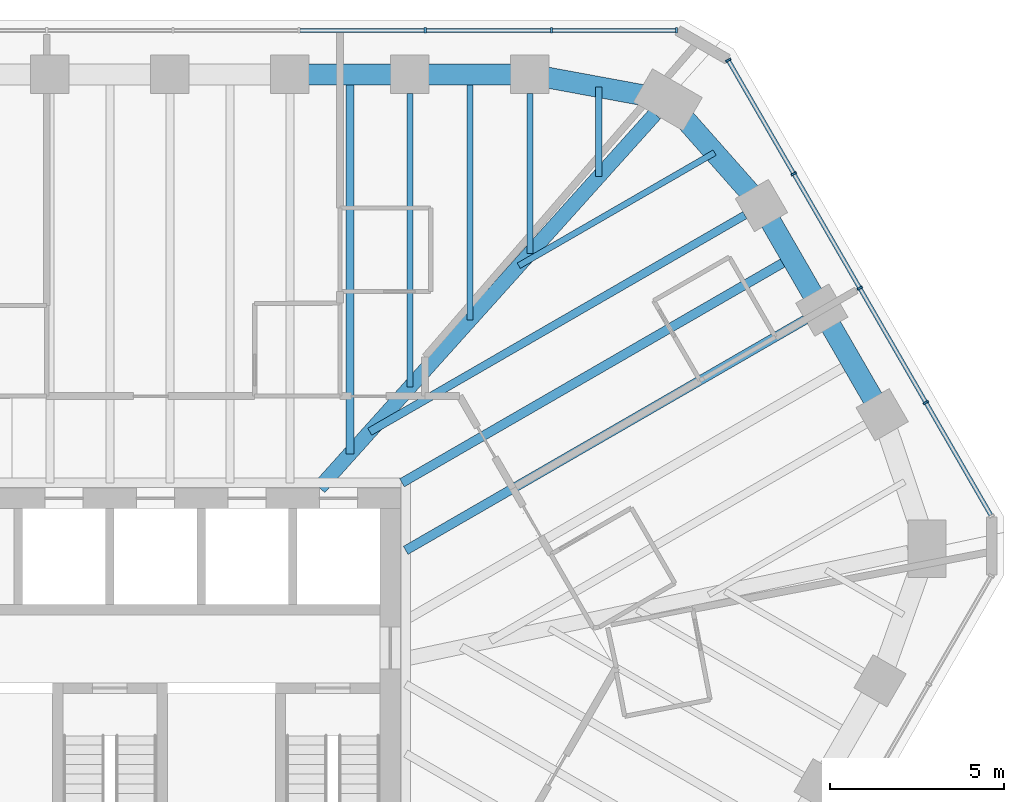
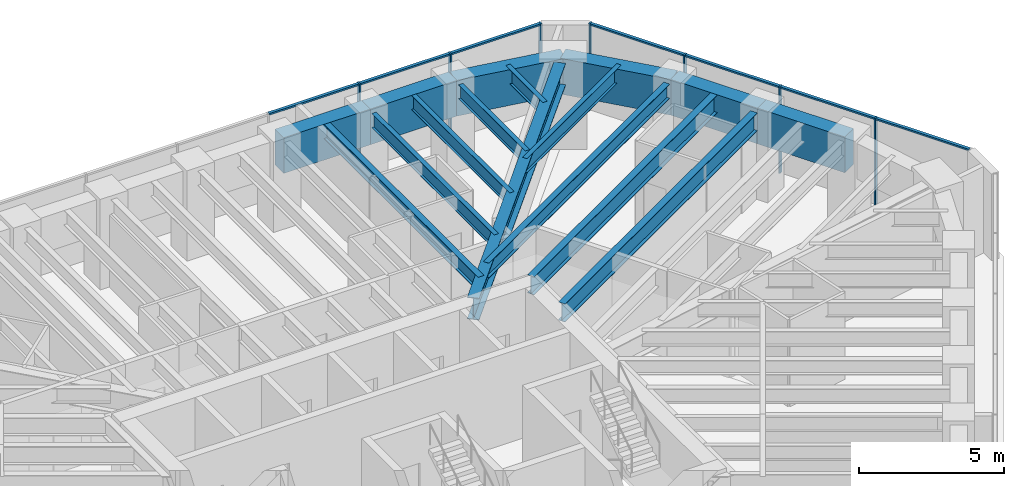
# One storey, part 7 of 14: 16 beams, 14 members, 2 elements without a shape of their own.
"""IFC4 building model written with IfcOpenShell, lengths in metres."""

from ifc_helpers import new_model, si_unit, direction, frame, origin, origin_2d, place, context, subcontext, project, spatial, rectangle, i_section, extrude, material, material_profile, profile_set, type_object, element, aggregate, save


model = new_model("IFC4")

# Units and contexts
model_context = context("Model", 3, precision=1e-05, world=origin(), true_north=direction((0.0, 1.0)))
body_context = subcontext(model_context, "Body", "Model", "MODEL_VIEW")
ifc_project = project(units=[si_unit("LENGTHUNIT", "METRE"), si_unit("AREAUNIT", "SQUARE_METRE"), si_unit("VOLUMEUNIT", "CUBIC_METRE"), si_unit("PLANEANGLEUNIT", "RADIAN"), si_unit("MASSUNIT", "GRAM", prefix="KILO")], contexts=[model_context])

# Site, building, storey
site_placement = place(None, origin())
site = spatial("IfcSite", under=ifc_project, at=site_placement, CompositionType="ELEMENT")
building_placement = place(site_placement, origin())
building = spatial("IfcBuilding", under=site, at=building_placement, Name="Sandreach Pilgrim Tower", CompositionType="ELEMENT")
storey_placement = place(building_placement, frame((0.0, 0.0, 264.60009765625)))
storey = spatial("IfcBuildingStorey", under=building, at=storey_placement, Name="L66", CompositionType="ELEMENT", Elevation=264.60009765625)

# Curtain wall, members
ifc_material_1 = material(Name="Aluminium framed curtain wall", Category="aluminium")
curtain_wall_type = type_object("IfcCurtainWallType", Name="Suite tower curtain wall", PredefinedType="NOTDEFINED", material=ifc_material_1)
curtain_wall_1_placement = place(storey_placement, origin())
curtain_wall_1 = element("IfcCurtainWall", 1, at=curtain_wall_1_placement, inside=storey, type_object=curtain_wall_type, Name="CW-4 L66 N", PredefinedType="NOTDEFINED")
ifc_material_2 = material(Name="Aluminium extrusion", Category="aluminium")
ifc_material_profile_1 = material_profile(ifc_material_2, rectangle(XDim=0.06005859375, YDim=0.159912109375, at=origin_2d()), Name="CW-4M 60X160")
ifc_profile_set_1 = profile_set([ifc_material_profile_1], Name="Aluminium extrusion")
member_type_1 = type_object("IfcMemberType", Name="CW-4 mullion", PredefinedType="MULLION", material=ifc_profile_set_1)
member_1_placement = place(storey_placement, frame((9.0546875, 19.826416015625, 0.0), z_axis=(0.0, 0.0, 1.0), x_axis=(1.0, 0.0, 0.0)))
member_1 = element("IfcMember", 2, at=member_1_placement, type_object=member_type_1, Name="CW-4 mullion 8", PredefinedType="MULLION", context=body_context, shape_type="SweptSolid", body=[
    extrude(rectangle(XDim=0.06005859375, YDim=0.159912109375, at=origin_2d()), origin(), (0.0, 0.0, 1.0), 3.639892578125),
])
member_2_placement = place(storey_placement, frame((12.676513671875, 19.826416015625, 0.0), z_axis=(0.0, 0.0, 1.0), x_axis=(1.0, 0.0, 0.0)))
member_2 = element("IfcMember", 3, at=member_2_placement, type_object=member_type_1, Name="CW-4 mullion 9", PredefinedType="MULLION", context=body_context, shape_type="SweptSolid", body=[
    extrude(rectangle(XDim=0.06005859375, YDim=0.159912109375, at=origin_2d()), origin(), (0.0, 0.0, 1.0), 3.639892578125),
])
member_3_placement = place(storey_placement, frame((16.268310546875, 19.826416015625, 0.0), z_axis=(0.0, 0.0, 1.0), x_axis=(1.0, 0.0, 0.0)))
member_3 = element("IfcMember", 4, at=member_3_placement, type_object=member_type_1, Name="CW-4 mullion 10", PredefinedType="MULLION", context=body_context, shape_type="SweptSolid", body=[
    extrude(rectangle(XDim=0.06005859375, YDim=0.159912109375, at=origin_2d()), origin(), (0.0, 0.0, 1.0), 3.639892578125),
])

curtain_wall_2_placement = place(storey_placement, origin())
curtain_wall_2 = element("IfcCurtainWall", 5, at=curtain_wall_2_placement, inside=storey, type_object=curtain_wall_type, Name="CW-4 L66 NE", PredefinedType="NOTDEFINED")
member_4_placement = place(storey_placement, frame((17.7509765625, 18.970458984375, 0.0), z_axis=(0.0, 0.0, 1.0), x_axis=(0.5, -0.866025403784, 0.0)))
member_4 = element("IfcMember", 6, at=member_4_placement, type_object=member_type_1, Name="CW-4 mullion 1", PredefinedType="MULLION", context=body_context, shape_type="SweptSolid", body=[
    extrude(rectangle(XDim=0.06005859375, YDim=0.159912109375, at=origin_2d()), origin(), (0.0, 0.0, 1.0), 3.639892578125),
])
member_5_placement = place(storey_placement, frame((19.6318359375, 15.712646484375, 0.0), z_axis=(0.0, 0.0, 1.0), x_axis=(0.5, -0.866025403784, 0.0)))
member_5 = element("IfcMember", 7, at=member_5_placement, type_object=member_type_1, Name="CW-4 mullion 2", PredefinedType="MULLION", context=body_context, shape_type="SweptSolid", body=[
    extrude(rectangle(XDim=0.06005859375, YDim=0.159912109375, at=origin_2d()), origin(), (0.0, 0.0, 1.0), 3.639892578125),
])
member_6_placement = place(storey_placement, frame((21.527587890625, 12.428955078125, 0.0), z_axis=(0.0, 0.0, 1.0), x_axis=(0.5, -0.866025403784, 0.0)))
member_6 = element("IfcMember", 8, at=member_6_placement, type_object=member_type_1, Name="CW-4 mullion 3", PredefinedType="MULLION", context=body_context, shape_type="SweptSolid", body=[
    extrude(rectangle(XDim=0.06005859375, YDim=0.159912109375, at=origin_2d()), origin(), (0.0, 0.0, 1.0), 3.639892578125),
])
member_7_placement = place(storey_placement, frame((23.423583984375, 9.145263671875, 0.0), z_axis=(0.0, 0.0, 1.0), x_axis=(0.5, -0.866025403784, 0.0)))
member_7 = element("IfcMember", 9, at=member_7_placement, type_object=member_type_1, Name="CW-4 mullion 4", PredefinedType="MULLION", context=body_context, shape_type="SweptSolid", body=[
    extrude(rectangle(XDim=0.06005859375, YDim=0.159912109375, at=origin_2d()), origin(), (0.0, 0.0, 1.0), 3.639892578125),
])

# Member
ifc_material_3 = material(Name="Aluminium extrusion", Category="aluminium")
ifc_material_profile_2 = material_profile(ifc_material_3, rectangle(XDim=0.1201171875, YDim=0.070068359375, at=origin_2d()), Name="CW-4T 120X70")
ifc_profile_set_2 = profile_set([ifc_material_profile_2], Name="Aluminium extrusion")
member_type_2 = type_object("IfcMemberType", Name="CW-4 transom", PredefinedType="USERDEFINED", material=ifc_profile_set_2)
member_8_placement = place(storey_placement, frame((5.462890625, 19.826416015625, 3.60498046875), z_axis=(1.0, 0.0, 0.0), x_axis=(0.0, 1.0, 0.0)))
member_8 = element("IfcMember", 10, at=member_8_placement, type_object=member_type_2, Name="CW-4 head transom 7", ObjectType="TRANSOM", PredefinedType="USERDEFINED", context=body_context, shape_type="SweptSolid", body=[
    extrude(rectangle(XDim=0.1201171875, YDim=0.070068359375, at=origin_2d()), origin(), (0.0, 0.0, 1.0), 3.561767578125),
])

member_9_placement = place(storey_placement, frame((9.084716796875, 19.826416015625, 3.60498046875), z_axis=(1.0, 0.0, 0.0), x_axis=(0.0, 1.0, 0.0)))
member_9 = element("IfcMember", 11, at=member_9_placement, type_object=member_type_2, Name="CW-4 head transom 8", ObjectType="TRANSOM", PredefinedType="USERDEFINED", context=body_context, shape_type="SweptSolid", body=[
    extrude(rectangle(XDim=0.1201171875, YDim=0.070068359375, at=origin_2d()), origin(), (0.0, 0.0, 1.0), 3.561767578125),
])

member_10_placement = place(storey_placement, frame((12.70654296875, 19.826416015625, 3.60498046875), z_axis=(1.0, 0.0, 0.0), x_axis=(0.0, 1.0, 0.0)))
member_10 = element("IfcMember", 12, at=member_10_placement, type_object=member_type_2, Name="CW-4 head transom 9", ObjectType="TRANSOM", PredefinedType="USERDEFINED", context=body_context, shape_type="SweptSolid", body=[
    extrude(rectangle(XDim=0.1201171875, YDim=0.070068359375, at=origin_2d()), origin(), (0.0, 0.0, 1.0), 3.53173828125),
])

aggregate(curtain_wall_1, [member_1, member_2, member_3, member_8, member_9, member_10])

member_11_placement = place(storey_placement, frame((17.76611328125, 18.944580078125, 3.60498046875), z_axis=(0.499990780478, -0.866030726613, 0.0), x_axis=(0.866030726613, 0.499990780478, 0.0)))
member_11 = element("IfcMember", 13, at=member_11_placement, type_object=member_type_2, Name="CW-4 head transom 1", ObjectType="TRANSOM", PredefinedType="USERDEFINED", context=body_context, shape_type="SweptSolid", body=[
    extrude(rectangle(XDim=0.1201171875, YDim=0.070068359375, at=origin_2d()), origin(), (0.0, 0.0, 1.0), 3.70166015625),
])

member_12_placement = place(storey_placement, frame((19.646728515625, 15.686767578125, 3.60498046875), z_axis=(0.500030151002, -0.866007995396, 0.0), x_axis=(0.866007995396, 0.500030151002, 0.0)))
member_12 = element("IfcMember", 14, at=member_12_placement, type_object=member_type_2, Name="CW-4 head transom 2", ObjectType="TRANSOM", PredefinedType="USERDEFINED", context=body_context, shape_type="SweptSolid", body=[
    extrude(rectangle(XDim=0.1201171875, YDim=0.070068359375, at=origin_2d()), origin(), (0.0, 0.0, 1.0), 3.731689453125),
])

member_13_placement = place(storey_placement, frame((21.542724609375, 12.403076171875, 3.60498046875), z_axis=(0.499981083104, -0.866036325184, 0.0), x_axis=(0.866036325184, 0.499981083104, 0.0)))
member_13 = element("IfcMember", 15, at=member_13_placement, type_object=member_type_2, Name="CW-4 head transom 3", ObjectType="TRANSOM", PredefinedType="USERDEFINED", context=body_context, shape_type="SweptSolid", body=[
    extrude(rectangle(XDim=0.1201171875, YDim=0.070068359375, at=origin_2d()), origin(), (0.0, 0.0, 1.0), 3.731689453125),
])

member_14_placement = place(storey_placement, frame((23.4384765625, 9.119384765625, 3.60498046875), z_axis=(0.499990780478, -0.866030726613, 0.0), x_axis=(0.866030726613, 0.499990780478, 0.0)))
member_14 = element("IfcMember", 16, at=member_14_placement, type_object=member_type_2, Name="CW-4 head transom 4", ObjectType="TRANSOM", PredefinedType="USERDEFINED", context=body_context, shape_type="SweptSolid", body=[
    extrude(rectangle(XDim=0.1201171875, YDim=0.070068359375, at=origin_2d()), origin(), (0.0, 0.0, 1.0), 3.70166015625),
])

aggregate(curtain_wall_2, [member_4, member_5, member_6, member_7, member_11, member_12, member_13, member_14])

# Beams
ifc_material_4 = material(Name="Steel ASTM A992 Grade 50", Category="steel")
ifc_material_profile_3 = material_profile(ifc_material_4, i_section(OverallWidth=0.419189453125, OverallDepth=0.927001953125, WebThickness=0.019287109375, FlangeThickness=0.031982421875, at=origin_2d()), Name="W36X231")
ifc_profile_set_3 = profile_set([ifc_material_profile_3], Name="Steel ASTM A992 Grade 50")
beam_type_1 = type_object("IfcBeamType", Name="Corner girder W36X231", PredefinedType="BEAM", material=ifc_profile_set_3)
beam_1_placement = place(storey_placement, frame((15.649169921875, 17.427978515625, 3.17626953125), z_axis=(-0.668114851597, -0.74405815974, 0.0), x_axis=(0.74405815974, -0.668114851597, 0.0)))
element("IfcBeam", 17, at=beam_1_placement, inside=storey, type_object=beam_type_1, Name="BM L66 CG09", PredefinedType="BEAM", context=body_context, shape_type="SweptSolid", body=[
    extrude(i_section(OverallWidth=0.419189453125, OverallDepth=0.927001953125, WebThickness=0.019287109375, FlangeThickness=0.031982421875, at=origin_2d()), origin(), (0.0, 0.0, 1.0), 14.418212890625),
])
ifc_material_5 = material(Name="Steel ASTM A992 Grade 50", Category="steel")
ifc_material_profile_4 = material_profile(ifc_material_5, i_section(OverallWidth=0.1787109375, OverallDepth=0.60205078125, WebThickness=0.010986328125, FlangeThickness=0.014892578125, at=origin_2d()), Name="W24X62")
ifc_profile_set_4 = profile_set([ifc_material_profile_4], Name="Steel ASTM A992 Grade 50")
beam_type_2 = type_object("IfcBeamType", Name="Floor beam W24X62", PredefinedType="BEAM", material=ifc_profile_set_4)
beam_2_placement = place(storey_placement, frame((8.612548828125, 18.016357421875, 3.3388671875), z_axis=(0.0, -1.0, 0.0), x_axis=(1.0, 0.0, 0.0)))
element("IfcBeam", 18, at=beam_2_placement, inside=storey, type_object=beam_type_2, Name="BM L66 F07", PredefinedType="BEAM", context=body_context, shape_type="SweptSolid", body=[
    extrude(i_section(OverallWidth=0.1787109375, OverallDepth=0.60205078125, WebThickness=0.010986328125, FlangeThickness=0.014892578125, at=origin_2d()), origin(), (0.0, 0.0, 1.0), 8.4248046875),
])
beam_3_placement = place(storey_placement, frame((12.0576171875, 18.016357421875, 3.3388671875), z_axis=(0.0, -1.0, 0.0), x_axis=(1.0, 0.0, 0.0)))
element("IfcBeam", 19, at=beam_3_placement, inside=storey, type_object=beam_type_2, Name="BM L66 F08", PredefinedType="BEAM", context=body_context, shape_type="SweptSolid", body=[
    extrude(i_section(OverallWidth=0.1787109375, OverallDepth=0.60205078125, WebThickness=0.010986328125, FlangeThickness=0.014892578125, at=origin_2d()), origin(), (0.0, 0.0, 1.0), 4.58837890625),
])
beam_4_placement = place(storey_placement, frame((10.3349609375, 18.56640625, 3.3388671875), z_axis=(0.0, -1.0, 0.0), x_axis=(1.0, 0.0, 0.0)))
element("IfcBeam", 20, at=beam_4_placement, inside=storey, type_object=beam_type_2, Name="BM L66 FM07", PredefinedType="BEAM", context=body_context, shape_type="SweptSolid", body=[
    extrude(i_section(OverallWidth=0.1787109375, OverallDepth=0.60205078125, WebThickness=0.010986328125, FlangeThickness=0.014892578125, at=origin_2d()), origin(), (0.0, 0.0, 1.0), 7.056640625),
])
beam_5_placement = place(storey_placement, frame((14.037109375, 18.201904296875, 3.3388671875), z_axis=(0.0, -1.0, 0.0), x_axis=(1.0, 0.0, 0.0)))
element("IfcBeam", 21, at=beam_5_placement, inside=storey, type_object=beam_type_2, Name="BM L66 FM08", PredefinedType="BEAM", context=body_context, shape_type="SweptSolid", body=[
    extrude(i_section(OverallWidth=0.1787109375, OverallDepth=0.60205078125, WebThickness=0.010986328125, FlangeThickness=0.014892578125, at=origin_2d()), origin(), (0.0, 0.0, 1.0), 2.5693359375),
])
beam_6_placement = place(storey_placement, frame((17.360107421875, 16.31884765625, 3.3388671875), z_axis=(-0.866023980233, -0.500002465655, 0.0), x_axis=(0.500002465655, -0.866023980233, 0.0)))
element("IfcBeam", 22, at=beam_6_placement, inside=storey, type_object=beam_type_2, Name="BM L66 FM09", PredefinedType="BEAM", context=body_context, shape_type="SweptSolid", body=[
    extrude(i_section(OverallWidth=0.1787109375, OverallDepth=0.60205078125, WebThickness=0.010986328125, FlangeThickness=0.014892578125, at=origin_2d()), origin(), (0.0, 0.0, 1.0), 6.49072265625),
])
ifc_material_6 = material(Name="Steel ASTM A992 Grade 50", Category="steel")
ifc_material_profile_5 = material_profile(ifc_material_6, i_section(OverallWidth=0.23046875, OverallDepth=0.6171875, WebThickness=0.01318359375, FlangeThickness=0.022216796875, at=origin_2d()), Name="W24X94")
ifc_profile_set_5 = profile_set([ifc_material_profile_5], Name="Steel ASTM A992 Grade 50")
beam_type_3 = type_object("IfcBeamType", Name="Floor beam W24X94", PredefinedType="BEAM", material=ifc_profile_set_5)
beam_7_placement = place(storey_placement, frame((18.227294921875, 14.525390625, 3.331298828125), z_axis=(-0.866020427415, -0.500008619226, 0.0), x_axis=(0.500008619226, -0.866020427415, 0.0)))
element("IfcBeam", 23, at=beam_7_placement, inside=storey, type_object=beam_type_3, Name="BM L66 F10", PredefinedType="BEAM", context=body_context, shape_type="SweptSolid", body=[
    extrude(i_section(OverallWidth=0.23046875, OverallDepth=0.6171875, WebThickness=0.01318359375, FlangeThickness=0.022216796875, at=origin_2d()), origin(), (0.0, 0.0, 1.0), 12.431396484375),
])
beam_8_placement = place(storey_placement, frame((6.89013671875, 18.56640625, 3.331298828125), z_axis=(0.0, -1.0, 0.0), x_axis=(1.0, 0.0, 0.0)))
element("IfcBeam", 24, at=beam_8_placement, inside=storey, type_object=beam_type_3, Name="BM L66 FM06", PredefinedType="BEAM", context=body_context, shape_type="SweptSolid", body=[
    extrude(i_section(OverallWidth=0.23046875, OverallDepth=0.6171875, WebThickness=0.01318359375, FlangeThickness=0.022216796875, at=origin_2d()), origin(), (0.0, 0.0, 1.0), 10.893310546875),
])
ifc_material_7 = material(Name="Steel ASTM A992 Grade 50", Category="steel")
ifc_material_profile_6 = material_profile(ifc_material_7, i_section(OverallWidth=0.2666015625, OverallDepth=0.761962890625, WebThickness=0.014404296875, FlangeThickness=0.021484375, at=origin_2d()), Name="W30X116")
ifc_profile_set_6 = profile_set([ifc_material_profile_6], Name="Steel ASTM A992 Grade 50")
beam_type_4 = type_object("IfcBeamType", Name="Floor beam W30X116", PredefinedType="BEAM", material=ifc_profile_set_6)
beam_9_placement = place(storey_placement, frame((19.960205078125, 11.52392578125, 3.2587890625), z_axis=(-0.86602530353, -0.500000173646, 0.0), x_axis=(0.500000173646, -0.86602530353, 0.0)))
element("IfcBeam", 25, at=beam_9_placement, inside=storey, type_object=beam_type_4, Name="BM L66 F11", PredefinedType="BEAM", context=body_context, shape_type="SweptSolid", body=[
    extrude(i_section(OverallWidth=0.2666015625, OverallDepth=0.761962890625, WebThickness=0.014404296875, FlangeThickness=0.021484375, at=origin_2d()), origin(), (0.0, 0.0, 1.0), 13.24072265625),
])
beam_10_placement = place(storey_placement, frame((19.570068359375, 13.299560546875, 3.2587890625), z_axis=(-0.866025008595, -0.500000684488, 0.0), x_axis=(0.500000684488, -0.866025008595, 0.0)))
element("IfcBeam", 26, at=beam_10_placement, inside=storey, type_object=beam_type_4, Name="BM L66 FM10", PredefinedType="BEAM", context=body_context, shape_type="SweptSolid", body=[
    extrude(i_section(OverallWidth=0.2666015625, OverallDepth=0.761962890625, WebThickness=0.014404296875, FlangeThickness=0.021484375, at=origin_2d()), origin(), (0.0, 0.0, 1.0), 12.91259765625),
])
ifc_material_8 = material(Name="Concrete 10000 psi", Category="concrete")
ifc_material_profile_7 = material_profile(ifc_material_8, rectangle(XDim=0.60009765625, YDim=1.5, at=origin_2d()), Name="RC600X1500")
ifc_profile_set_7 = profile_set([ifc_material_profile_7], Name="Concrete 10000 psi")
beam_type_5 = type_object("IfcBeamType", Name="Spandrel beam RC600X1500", PredefinedType="SPANDREL", material=ifc_profile_set_7)
for number, where, z_axis, x_axis, name in (
    (27, (5.16748046875, 18.56640625, 2.889892578125), (1.0, 0.0, 0.0), (0.0, 1.0, 0.0), "BM L66 SP06"),
    (28, (8.612548828125, 18.56640625, 2.889892578125), (1.0, 0.0, 0.0), (0.0, 1.0, 0.0), "BM L66 SP07"),
):
    element("IfcBeam", number, at=place(storey_placement, frame(where, z_axis=z_axis, x_axis=x_axis)), inside=storey, type_object=beam_type_5, Name=name, PredefinedType="SPANDREL", context=body_context, shape_type="SweptSolid", body=[
        extrude(rectangle(XDim=0.60009765625, YDim=1.5, at=origin_2d()), origin(), (0.0, 0.0, 1.0), 3.445068359375),
    ])
beam_11_placement = place(storey_placement, frame((12.0576171875, 18.56640625, 2.889892578125), z_axis=(0.983454894629, -0.181153167875, 0.0), x_axis=(0.181153167875, 0.983454894629, 0.0)))
element("IfcBeam", 29, at=beam_11_placement, inside=storey, type_object=beam_type_5, Name="BM L66 SP08", PredefinedType="SPANDREL", context=body_context, shape_type="SweptSolid", body=[
    extrude(rectangle(XDim=0.60009765625, YDim=1.5, at=origin_2d()), origin(), (0.0, 0.0, 1.0), 4.025634765625),
])
beam_12_placement = place(storey_placement, frame((16.0166015625, 17.837158203125, 2.889892578125), z_axis=(0.662650525414, -0.748928755736, 0.0), x_axis=(0.748928755736, 0.662650525414, 0.0)))
element("IfcBeam", 30, at=beam_12_placement, inside=storey, type_object=beam_type_5, Name="BM L66 SP09", PredefinedType="SPANDREL", context=body_context, shape_type="SweptSolid", body=[
    extrude(rectangle(XDim=0.60009765625, YDim=1.5, at=origin_2d()), origin(), (0.0, 0.0, 1.0), 4.054931640625),
])
for number, where, z_axis, x_axis, name in (
    (31, (18.70361328125, 14.80029296875, 2.889892578125), (0.500033451825, -0.866006089503, 0.0), (0.866006089503, 0.500033451825, 0.0), "BM L66 SP10"),
    (32, (20.4365234375, 11.799072265625, 2.889892578125), (0.499980616072, -0.866036594811, 0.0), (0.866036594811, 0.499980616072, 0.0), "BM L66 SP11"),
):
    element("IfcBeam", number, at=place(storey_placement, frame(where, z_axis=z_axis, x_axis=x_axis)), inside=storey, type_object=beam_type_5, Name=name, PredefinedType="SPANDREL", context=body_context, shape_type="SweptSolid", body=[
        extrude(rectangle(XDim=0.60009765625, YDim=1.5, at=origin_2d()), origin(), (0.0, 0.0, 1.0), 3.465576171875),
    ])

save(model, "model.ifc")
